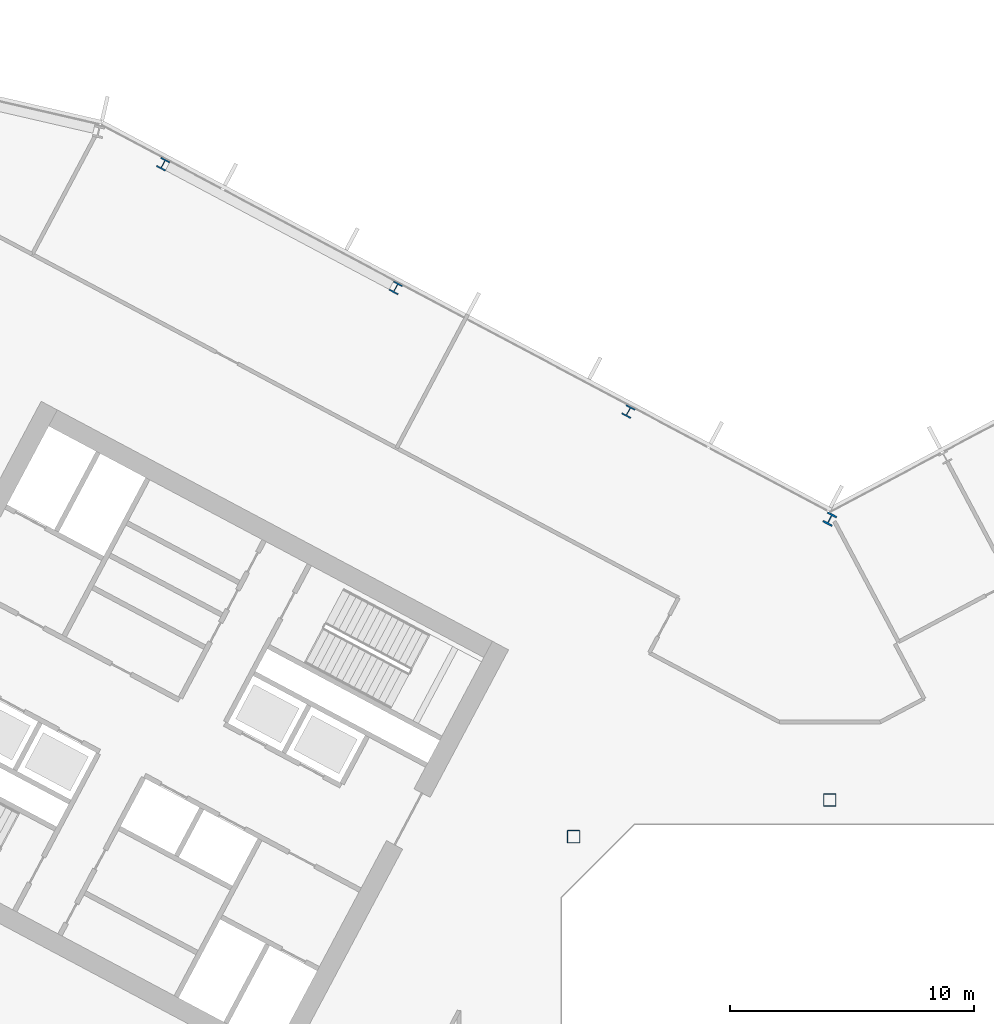
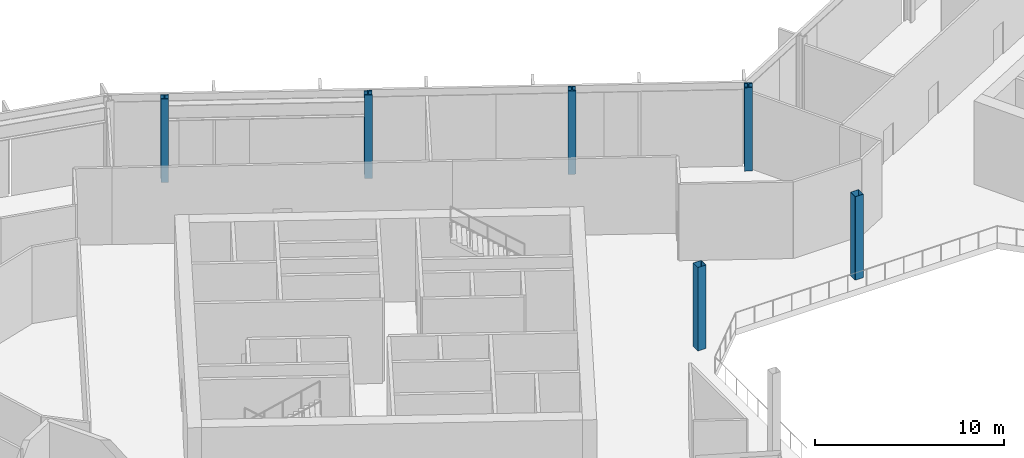
# One storey, part 4 of 31: 6 columns.
"""IFC4 building model written with IfcOpenShell, lengths in metres."""

from ifc_helpers import new_model, si_unit, direction, frame, origin, origin_2d, place, context, subcontext, project, spatial, hollow_rectangle, i_section, extrude, material, material_profile, profile_set, type_object, element, save


model = new_model("IFC4")

# Units and contexts
model_context = context("Model", 3, precision=1e-05, world=origin(), true_north=direction((0.0, 1.0)))
body_context = subcontext(model_context, "Body", "Model", "MODEL_VIEW")
ifc_project = project(units=[si_unit("LENGTHUNIT", "METRE"), si_unit("AREAUNIT", "SQUARE_METRE"), si_unit("VOLUMEUNIT", "CUBIC_METRE"), si_unit("PLANEANGLEUNIT", "RADIAN"), si_unit("MASSUNIT", "GRAM", prefix="KILO")], contexts=[model_context])

# Site, building, storey
site_placement = place(None, origin())
site = spatial("IfcSite", under=ifc_project, at=site_placement, CompositionType="ELEMENT")
building_placement = place(site_placement, origin())
building = spatial("IfcBuilding", under=site, at=building_placement, Name="Cormorant Relay Tower", CompositionType="ELEMENT")
storey_placement = place(building_placement, frame((0.0, 0.0, 178.199951171875)))
storey = spatial("IfcBuildingStorey", under=building, at=storey_placement, Name="L38", CompositionType="ELEMENT", Elevation=178.199951171875)

# Columns
ifc_material_1 = material(Name="Steel ASTM A500 Grade C (Fy 345 MPa)", Category="steel")
ifc_material_profile_1 = material_profile(ifc_material_1, hollow_rectangle(XDim=0.508056640625, YDim=0.508056640625, WallThickness=0.01171875, InnerFilletRadius=0.005859375, OuterFilletRadius=0.017822265625, at=origin_2d()), Name="HSS508x508x12")
ifc_profile_set_1 = profile_set([ifc_material_profile_1], Name="Steel ASTM A500 Grade C (Fy 345 MPa)")
column_type_1 = type_object("IfcColumnType", Name="Column HSS508x508x12", PredefinedType="COLUMN", material=ifc_profile_set_1)
for number, where, z_axis, x_axis, name in (
    (1, (-10.5, 10.5, 0.0), (0.0, 0.0, 1.0), (1.0, 0.0, 0.0), "Column L38-023"),
    (2, (0.0, 12.0, 0.0), (0.0, 0.0, 1.0), (1.0, 0.0, 0.0), "Column L38-025"),
):
    element("IfcColumn", number, at=place(storey_placement, frame(where, z_axis=z_axis, x_axis=x_axis)), inside=storey, type_object=column_type_1, Name=name, PredefinedType="COLUMN", context=body_context, shape_type="SweptSolid", body=[
        extrude(hollow_rectangle(XDim=0.508056640625, YDim=0.508056640625, WallThickness=0.01171875, InnerFilletRadius=0.005859375, OuterFilletRadius=0.017822265625, at=origin_2d()), origin(), (0.0, 0.0, 1.0), 5.400146484375),
    ])
ifc_material_2 = material(Name="Steel ASTM A992 (Fy 345 MPa)", Category="steel")
ifc_material_profile_2 = material_profile(ifc_material_2, i_section(OverallWidth=0.41162109375, OverallDepth=0.434326171875, WebThickness=0.035888671875, FlangeThickness=0.057373046875, FilletRadius=0.01513671875, at=origin_2d()), Name="W360x463")
ifc_profile_set_2 = profile_set([ifc_material_profile_2], Name="Steel ASTM A992 (Fy 345 MPa)")
column_type_2 = type_object("IfcColumnType", Name="Column W360x463", PredefinedType="COLUMN", material=ifc_profile_set_2)
for number, where, z_axis, x_axis, name in (
    (3, (-8.257080078125, 27.925048828125, 0.0), (0.0, 0.0, 1.0), (-0.882947592859, 0.469471562786, 0.0), "Column L38-036"),
    (4, (-17.7919921875, 32.9951171875, 0.0), (0.0, 0.0, 1.0), (-0.882947592859, 0.469471562786, 0.0), "Column L38-040"),
    (5, (-27.327880859375, 38.06494140625, 0.0), (0.0, 0.0, 1.0), (-0.882947592859, 0.469471562786, 0.0), "Column L38-044"),
):
    element("IfcColumn", number, at=place(storey_placement, frame(where, z_axis=z_axis, x_axis=x_axis)), inside=storey, type_object=column_type_2, Name=name, PredefinedType="COLUMN", context=body_context, shape_type="SweptSolid", body=[
        extrude(i_section(OverallWidth=0.41162109375, OverallDepth=0.434326171875, WebThickness=0.035888671875, FlangeThickness=0.057373046875, FilletRadius=0.01513671875, at=origin_2d()), origin(), (0.0, 0.0, 1.0), 5.400146484375),
    ])
ifc_material_3 = material(Name="Steel ASTM A992 (Fy 345 MPa)", Category="steel")
ifc_material_profile_3 = material_profile(ifc_material_3, i_section(OverallWidth=0.42431640625, OverallDepth=0.47509765625, WebThickness=0.0478515625, FlangeThickness=0.0771484375, FilletRadius=0.014892578125, at=origin_2d()), Name="W360x634")
ifc_profile_set_3 = profile_set([ifc_material_profile_3], Name="Steel ASTM A992 (Fy 345 MPa)")
column_type_3 = type_object("IfcColumnType", Name="Column W360x634", PredefinedType="COLUMN", material=ifc_profile_set_3)
column_placement = place(storey_placement, frame((0.0, 23.513916015625, 0.0), z_axis=(0.0, 0.0, 1.0), x_axis=(-0.882947592859, 0.469471562786, 0.0)))
element("IfcColumn", 6, at=column_placement, inside=storey, type_object=column_type_3, Name="Column L38-032", PredefinedType="COLUMN", context=body_context, shape_type="SweptSolid", body=[
    extrude(i_section(OverallWidth=0.42431640625, OverallDepth=0.47509765625, WebThickness=0.0478515625, FlangeThickness=0.0771484375, FilletRadius=0.014892578125, at=origin_2d()), origin(), (0.0, 0.0, 1.0), 5.400146484375),
])

save(model, "model.ifc")
